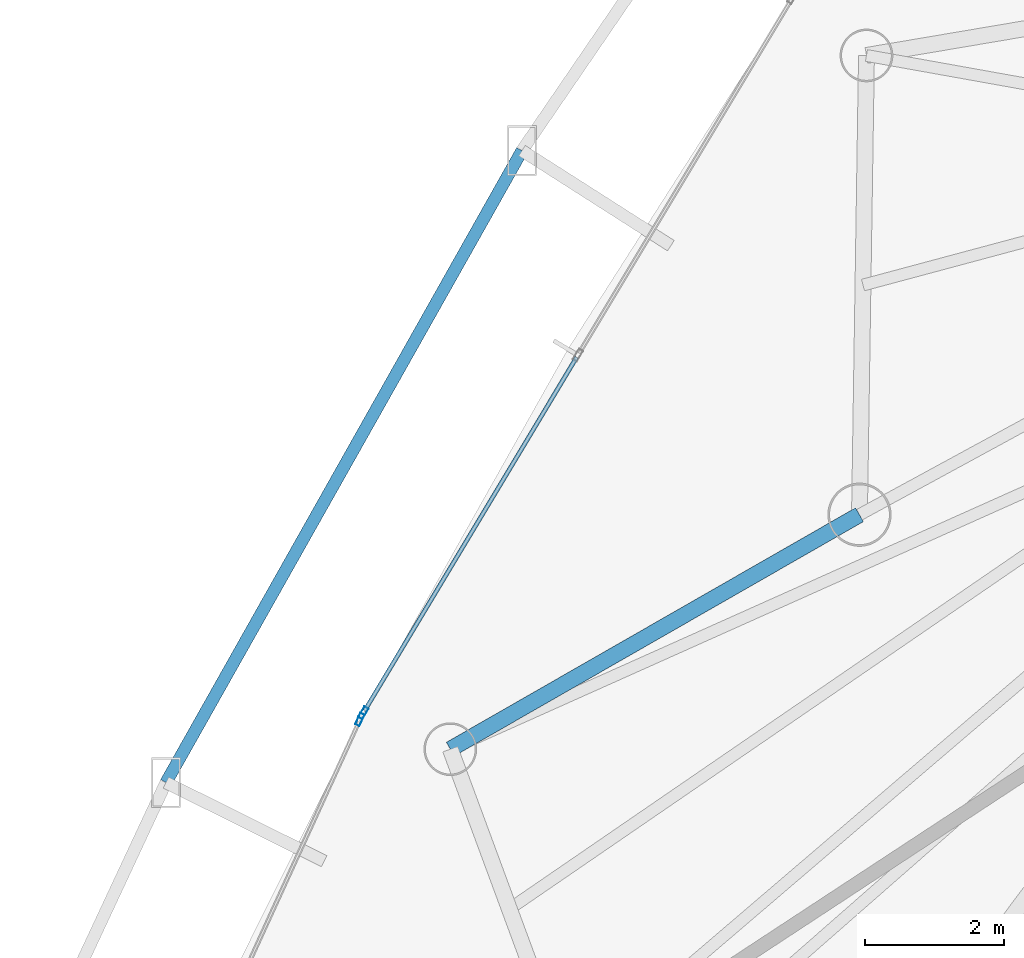
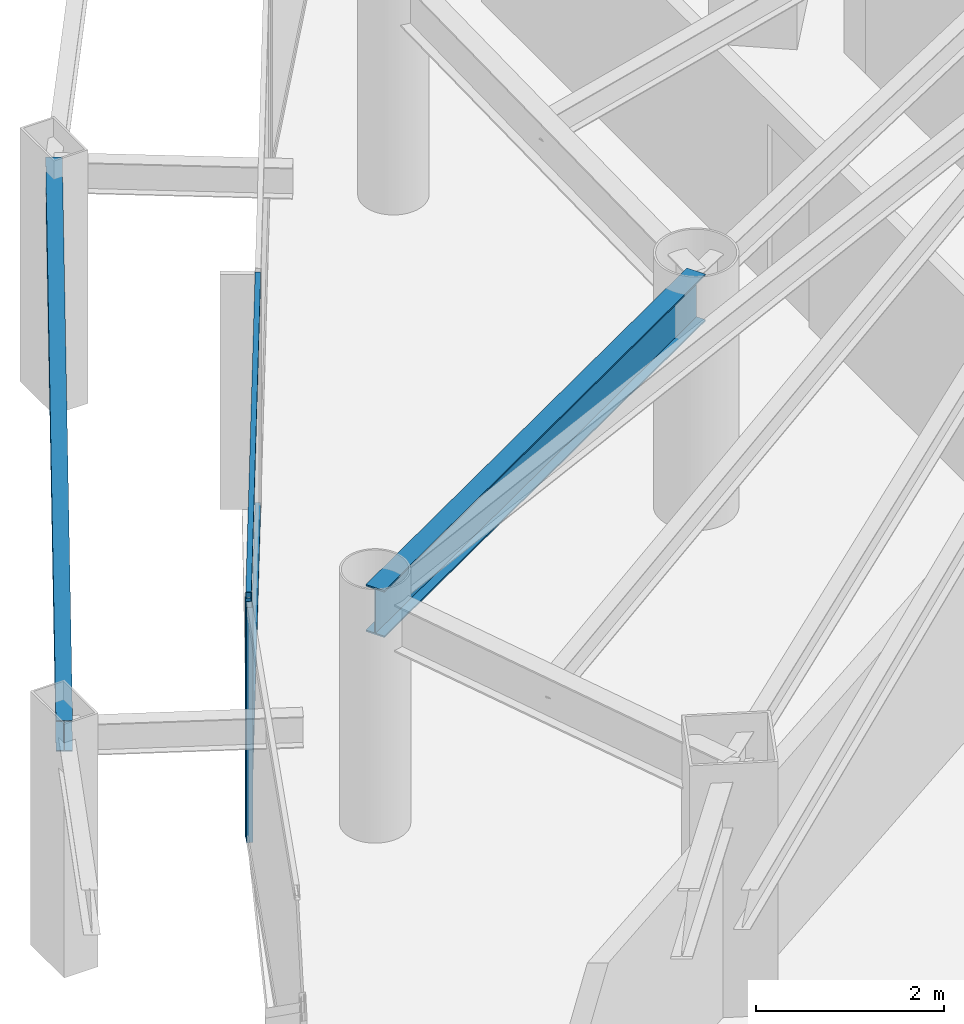
# One storey, part 10 of 33: 4 members, 2 beams, 2 elements without a shape of their own.
"""IFC4 building model written with IfcOpenShell, lengths in metres."""

import ifcopenshell
import ifcopenshell.guid

model = None  # the IFC model being written
_history = None  # IfcOwnerHistory: only IFC2X3 demands one
_inside = {}  # id of a spatial element -> (the spatial element, [elements in it])
_under = {}  # id of a project, library or spatial element -> (it, [spatial elements below it])
_declared = {}  # id of a project -> (the project, [libraries it declares])
_typed = {}  # id of a type object -> (the type object, [elements of that type])
_made_of = {}  # id of a material, layer set ... -> (it, [elements and type objects made of it])


def new_model(schema):
    """Start an empty IFC model of exactly this schema.

    Asked for "IFC4X3", IfcOpenShell would pick the latest addendum, in which some entities
    have other attributes; the version numbers below select the first issue.
    IFC2X3 requires an IfcOwnerHistory on every rooted entity: one is made here for all.
    """
    global model, _history
    if schema == "IFC4X3":
        model = ifcopenshell.file(schema_version=(4, 3, 0, 0))
    else:
        model = ifcopenshell.file(schema=schema)
    _inside.clear()
    _under.clear()
    _declared.clear()
    _typed.clear()
    _made_of.clear()
    _history = None
    if model.schema == "IFC2X3":
        org = make("IfcOrganization", Name="unknown")
        user = make(
            "IfcPersonAndOrganization",
            ThePerson=make("IfcPerson", FamilyName="unknown"),
            TheOrganization=org,
        )
        app = make(
            "IfcApplication",
            ApplicationDeveloper=org,
            Version="unknown",
            ApplicationFullName="unknown",
            ApplicationIdentifier="unknown",
        )
        _history = make(
            "IfcOwnerHistory",
            OwningUser=user,
            OwningApplication=app,
            ChangeAction="ADDED",
            CreationDate=0,
        )
    return model


def make(cls, **values):
    """One entity of the class cls with the attributes given. An attribute that is None is left unset."""
    return model.create_entity(
        cls, **{name: value for name, value in values.items() if value is not None}
    )


def rooted(cls, **values):
    """An entity with a GlobalId (a new one), such as an element, a storey or a relation."""
    return make(cls, GlobalId=ifcopenshell.guid.new(), OwnerHistory=_history, **values)


def si_unit(unit_type, name, prefix=None):
    """IfcSIUnit, for example si_unit("LENGTHUNIT", "METRE", prefix="MILLI")."""
    return make("IfcSIUnit", UnitType=unit_type, Prefix=prefix, Name=name)


def assignment(units):
    """IfcUnitAssignment: the units of a project."""
    return None if units is None else make("IfcUnitAssignment", Units=units)


def point(xyz):
    """IfcCartesianPoint."""
    return None if xyz is None else make("IfcCartesianPoint", Coordinates=xyz)


def direction(xyz):
    """IfcDirection."""
    return None if xyz is None else make("IfcDirection", DirectionRatios=xyz)


def frame(location, z_axis=None, x_axis=None):
    """IfcAxis2Placement3D, a coordinate frame: its origin and axes. An axis left out is left unset."""
    return make(
        "IfcAxis2Placement3D",
        Location=point(location),
        Axis=direction(z_axis),
        RefDirection=direction(x_axis),
    )


def frame_2d(location, x_axis=None):
    """IfcAxis2Placement2D, a coordinate frame in the plane: its origin and x axis."""
    return make(
        "IfcAxis2Placement2D", Location=point(location), RefDirection=direction(x_axis)
    )


def origin():
    """The frame at (0, 0, 0) with its axes left unset."""
    return frame((0.0, 0.0, 0.0))


def origin_2d():
    """The frame at (0, 0) in the plane with its x axis left unset."""
    return frame_2d((0.0, 0.0))


def place(relative_to, where):
    """IfcLocalPlacement: puts the frame where relative to a parent placement (None: the world)."""
    return make(
        "IfcLocalPlacement", PlacementRelTo=relative_to, RelativePlacement=where
    )


def context(
    kind, dimensions, precision=None, world=None, true_north=None, identifier=None
):
    """IfcGeometricRepresentationContext, for example the 3D "Model" context."""
    return make(
        "IfcGeometricRepresentationContext",
        ContextIdentifier=identifier,
        ContextType=kind,
        CoordinateSpaceDimension=dimensions,
        Precision=precision,
        WorldCoordinateSystem=world,
        TrueNorth=true_north,
    )


def subcontext(parent, identifier, kind, view, scale=None):
    """IfcGeometricRepresentationSubContext, for example "Body" below "Model"."""
    return make(
        "IfcGeometricRepresentationSubContext",
        ContextIdentifier=identifier,
        ContextType=kind,
        ParentContext=parent,
        TargetScale=scale,
        TargetView=view,
    )


def project(units=None, contexts=None):
    """IfcProject with its units and contexts."""
    return rooted(
        "IfcProject",
        Name="project",
        RepresentationContexts=contexts,
        UnitsInContext=assignment(units),
    )


def spatial(cls, under=None, at=None, **own):
    """A site, building, storey or space (cls), placed at a placement, below another one or the project."""
    s = rooted(cls, ObjectPlacement=at, **own)
    if under is not None:
        _under.setdefault(under.id(), (under, []))[1].append(s)
    return s


def profile(cls, at=None, kind="AREA", **sizes):
    """A parametric profile (cls). Its sizes go by their IFC names, for example OverallWidth=200.0."""
    return make(cls, ProfileType=kind, Position=at, **sizes)


def hollow_rectangle(**sizes):
    """IfcRectangleHollowProfileDef."""
    return profile("IfcRectangleHollowProfileDef", **sizes)


def i_section(**sizes):
    """IfcIShapeProfileDef."""
    return profile("IfcIShapeProfileDef", **sizes)


def extrude(swept, where, along, depth):
    """IfcExtrudedAreaSolid: the profile swept, set in the frame where, extruded along a direction by depth."""
    return make(
        "IfcExtrudedAreaSolid",
        SweptArea=swept,
        Position=where,
        ExtrudedDirection=direction(along),
        Depth=depth,
    )


def shape(context_of_items, identifier, shape_type, items):
    """IfcShapeRepresentation: the items that make up one representation, for example the "Body"."""
    return make(
        "IfcShapeRepresentation",
        ContextOfItems=context_of_items,
        RepresentationIdentifier=identifier,
        RepresentationType=shape_type,
        Items=items,
    )


def material(Name=None, Category=None):
    """IfcMaterial."""
    return make("IfcMaterial", Name=Name, Category=Category)


def layer(
    of_material, thickness, ventilated=None, Name=None, Category=None, Priority=None
):
    """IfcMaterialLayer: one layer of a wall or slab, of a material (None: an air gap)."""
    return make(
        "IfcMaterialLayer",
        Material=of_material,
        LayerThickness=thickness,
        IsVentilated=ventilated,
        Name=Name,
        Category=Category,
        Priority=Priority,
    )


def layer_set(layers, Name=None):
    """IfcMaterialLayerSet."""
    return make("IfcMaterialLayerSet", MaterialLayers=layers, LayerSetName=Name)


def material_profile(
    of_material, cross_section, Name=None, Category=None, Priority=None
):
    """IfcMaterialProfile: a cross section and its material."""
    return make(
        "IfcMaterialProfile",
        Name=Name,
        Material=of_material,
        Profile=cross_section,
        Priority=Priority,
        Category=Category,
    )


def profile_set(profiles, Name=None, composite=None):
    """IfcMaterialProfileSet."""
    return make(
        "IfcMaterialProfileSet",
        Name=Name,
        MaterialProfiles=profiles,
        CompositeProfile=composite,
    )


def made_of(thing, what):
    """Note that an element or type object is made of a material, layer set ...; save() writes the relation."""
    if what is not None:
        _made_of.setdefault(what.id(), (what, []))[1].append(thing)
    return thing


def type_object(cls, material=None, **own):
    """A type object (cls), such as IfcWallType, which elements share."""
    return made_of(rooted(cls, **own), material)


def element(
    cls,
    number,
    at=None,
    inside=None,
    cuts=None,
    type_object=None,
    material=None,
    context=None,
    identifier="Body",
    shape_type=None,
    held_by="IfcProductDefinitionShape",
    body=None,
    shapes=None,
    **own,
):
    """One element of the class cls, such as IfcWall. Its Tag is "e" and its number.

    at: its placement. inside: the storey or other place that contains it. cuts: it is an
    opening in that element (IfcRelVoidsElement). A single representation is given by context,
    identifier, shape_type and body (its items); several are given by shapes. held_by: the class
    of the entity that holds the representations. save() writes the other relations.
    """
    e = rooted(cls, Tag="e%d" % number, ObjectPlacement=at, **own)
    if body is not None:
        shapes = [shape(context, identifier, shape_type, body)]
    if shapes is not None:
        e.Representation = make(held_by, Representations=shapes)
    if inside is not None:
        _inside.setdefault(inside.id(), (inside, []))[1].append(e)
    if cuts is not None:
        rooted(
            "IfcRelVoidsElement", RelatingBuildingElement=cuts, RelatedOpeningElement=e
        )
    if type_object is not None:
        _typed.setdefault(type_object.id(), (type_object, []))[1].append(e)
    return made_of(e, material)


def aggregate(whole, parts):
    """IfcRelAggregates: a whole, such as a stair, and the parts it consists of."""
    return rooted("IfcRelAggregates", RelatingObject=whole, RelatedObjects=parts)


def save(model, path):
    """Write the relations noted so far, then the file.

    IfcRelAggregates (storeys below a building ...), IfcRelContainedInSpatialStructure (elements
    in a storey), IfcRelDefinesByType, IfcRelAssociatesMaterial and IfcRelDeclares: one each for
    every whole, place, type object, material and project.
    """
    for whole, parts in _under.values():
        aggregate(whole, parts)
    for where, things in _inside.values():
        rooted(
            "IfcRelContainedInSpatialStructure",
            RelatedElements=things,
            RelatingStructure=where,
        )
    for kind, things in _typed.values():
        rooted("IfcRelDefinesByType", RelatedObjects=things, RelatingType=kind)
    for what, things in _made_of.values():
        rooted("IfcRelAssociatesMaterial", RelatedObjects=things, RelatingMaterial=what)
    for by, libraries in _declared.values():
        rooted("IfcRelDeclares", RelatingContext=by, RelatedDefinitions=libraries)
    model.write(path)


model = new_model("IFC4")

# Units and contexts
model_context = context("Model", 3, precision=1e-05, world=origin(), true_north=direction((0.0, 1.0)))
body_context = subcontext(model_context, "Body", "Model", "MODEL_VIEW")
ifc_project = project(units=[si_unit("LENGTHUNIT", "METRE"), si_unit("AREAUNIT", "SQUARE_METRE"), si_unit("VOLUMEUNIT", "CUBIC_METRE"), si_unit("PLANEANGLEUNIT", "RADIAN"), si_unit("MASSUNIT", "GRAM", prefix="KILO")], contexts=[model_context])

# Site, building, storey
site_placement = place(None, origin())
site = spatial("IfcSite", under=ifc_project, at=site_placement, CompositionType="ELEMENT")
building_placement = place(site_placement, origin())
building = spatial("IfcBuilding", under=site, at=building_placement, Name="Orvanel Arch Residences", CompositionType="ELEMENT")
storey_placement = place(building_placement, frame((0.0, 0.0, 84.050048828125)))
storey = spatial("IfcBuildingStorey", under=building, at=storey_placement, Name="L23", CompositionType="ELEMENT", Elevation=84.050048828125)

# Curtain wall, member
ifc_material_1 = material(Name="Bronze-anodised aluminium AA6063-T6", Category="aluminium")
ifc_layer = layer(ifc_material_1, 0.179931640625)
ifc_layer_set = layer_set([ifc_layer], Name="Bronze-anodised aluminium AA6063-T6")
curtain_wall_type = type_object("IfcCurtainWallType", Name="CW2-LOW-SYS", PredefinedType="NOTDEFINED", material=ifc_layer_set)
curtain_wall_1_placement = place(storey_placement, origin())
curtain_wall_1 = element("IfcCurtainWall", 1, at=curtain_wall_1_placement, inside=storey, type_object=curtain_wall_type, Name="L23 CW2-LOW-SYS Unitised Curtain Wall", PredefinedType="NOTDEFINED")
ifc_material_profile_1 = material_profile(ifc_material_1, hollow_rectangle(XDim=0.070068359375, YDim=0.179931640625, WallThickness=0.00439453125, at=origin_2d()), Name="ALU180x70x4.5")
ifc_profile_set_1 = profile_set([ifc_material_profile_1], Name="Bronze-anodised aluminium AA6063-T6")
member_type_1 = type_object("IfcMemberType", Name="MUL-180x70", PredefinedType="MULLION", material=ifc_profile_set_1)
member_1_placement = place(storey_placement, frame((13.406982421875, 24.781005859375, 0.0), z_axis=(0.0, 0.0, 1.0), x_axis=(0.857536630134, -0.514422907712, 0.0)))
member_1 = element("IfcMember", 2, at=member_1_placement, type_object=member_type_1, Name="CW-S2 mullion 3", PredefinedType="MULLION", context=body_context, shape_type="SweptSolid", body=[
    extrude(hollow_rectangle(XDim=0.070068359375, YDim=0.179931640625, WallThickness=0.00439453125, at=origin_2d()), origin(), (0.0, 0.0, 1.0), 3.06005859375),
])

curtain_wall_2_placement = place(storey_placement, origin())
curtain_wall_2 = element("IfcCurtainWall", 3, at=curtain_wall_2_placement, inside=storey, type_object=curtain_wall_type, Name="L23 CW2-LOW-SYS Unitised Curtain Wall", PredefinedType="NOTDEFINED")
member_2_placement = place(storey_placement, frame((13.3564453125, 24.68408203125, 0.0), z_axis=(0.0, 0.0, 1.0), x_axis=(0.90969922077, -0.415267778343, 0.0)))
member_2 = element("IfcMember", 4, at=member_2_placement, type_object=member_type_1, Name="CW-S2 mullion 1", PredefinedType="MULLION", context=body_context, shape_type="SweptSolid", body=[
    extrude(hollow_rectangle(XDim=0.070068359375, YDim=0.179931640625, WallThickness=0.00439453125, at=origin_2d()), origin(), (0.0, 0.0, 1.0), 3.06005859375),
])
aggregate(curtain_wall_2, [member_2])

# Beams
ifc_material_2 = material(Name="Structural steel AS/NZS 3679.1 Grade 300 (300 MPa)", Category="steel")
ifc_material_profile_2 = material_profile(ifc_material_2, i_section(OverallWidth=0.177978515625, OverallDepth=0.406005859375, WebThickness=0.0078125, FlangeThickness=0.0126953125, at=origin_2d()), Name="410UB59.7")
ifc_profile_set_2 = profile_set([ifc_material_profile_2], Name="Structural steel AS/NZS 3679.1 Grade 300 (300 MPa)")
beam_type_1 = type_object("IfcBeamType", Name="OB-410UB-EXT", PredefinedType="SPANDREL", material=ifc_profile_set_2)
beam_1_placement = place(storey_placement, frame((15.697021484375, 32.89697265625, 2.85693359375), z_axis=(-0.490872149716, -0.871231618247, 0.0), x_axis=(0.871231618247, -0.490872149716, 0.0)))
element("IfcBeam", 5, at=beam_1_placement, inside=storey, type_object=beam_type_1, Name="L23 Outer Perimeter Floor Ring Beam 02", PredefinedType="SPANDREL", context=body_context, shape_type="SweptSolid", body=[
    extrude(i_section(OverallWidth=0.177978515625, OverallDepth=0.406005859375, WebThickness=0.0078125, FlangeThickness=0.0126953125, at=origin_2d()), origin(), (0.0, 0.0, 1.0), 10.471435546875),
])
ifc_material_profile_3 = material_profile(ifc_material_2, i_section(OverallWidth=0.22900390625, OverallDepth=0.612060546875, WebThickness=0.011962890625, FlangeThickness=0.01953125, at=origin_2d()), Name="610UB125")
ifc_profile_set_3 = profile_set([ifc_material_profile_3], Name="Structural steel AS/NZS 3679.1 Grade 300 (300 MPa)")
beam_type_2 = type_object("IfcBeamType", Name="SP-610UB", PredefinedType="SPANDREL", material=ifc_profile_set_3)
beam_2_placement = place(storey_placement, frame((20.569091796875, 27.64111328125, 2.75390625), z_axis=(-0.867635629025, -0.497200578485, 0.0), x_axis=(0.497200578485, -0.867635629025, 0.0)))
element("IfcBeam", 6, at=beam_2_placement, inside=storey, type_object=beam_type_2, Name="L23 Perimeter Spandrel Beam 21", PredefinedType="SPANDREL", context=body_context, shape_type="SweptSolid", body=[
    extrude(i_section(OverallWidth=0.22900390625, OverallDepth=0.612060546875, WebThickness=0.011962890625, FlangeThickness=0.01953125, at=origin_2d()), origin(), (0.0, 0.0, 1.0), 6.80810546875),
])

# Member
ifc_material_profile_4 = material_profile(ifc_material_1, hollow_rectangle(XDim=0.06005859375, YDim=0.135009765625, WallThickness=0.00390625, at=origin_2d()), Name="ALU135x60x4")
ifc_profile_set_4 = profile_set([ifc_material_profile_4], Name="Bronze-anodised aluminium AA6063-T6")
member_type_2 = type_object("IfcMemberType", Name="TRN-135x60", PredefinedType="USERDEFINED", material=ifc_profile_set_4)
member_3_placement = place(storey_placement, frame((16.486572265625, 29.91455078125, 0.030029296875), z_axis=(-0.514423360777, -0.857536358347, 0.0), x_axis=(0.857536358347, -0.514423360777, 0.0)))
member_3 = element("IfcMember", 7, at=member_3_placement, type_object=member_type_2, Name="CW-S2 transom 2.1", ObjectType="TRANSOM", PredefinedType="USERDEFINED", context=body_context, shape_type="SweptSolid", body=[
    extrude(hollow_rectangle(XDim=0.06005859375, YDim=0.135009765625, WallThickness=0.00390625, at=origin_2d()), origin(), (0.0, 0.0, 1.0), 5.951416015625),
])

member_4_placement = place(storey_placement, frame((16.486572265625, 29.91455078125, 3.030029296875), z_axis=(-0.514423360777, -0.857536358347, 0.0), x_axis=(0.857536358347, -0.514423360777, 0.0)))
member_4 = element("IfcMember", 8, at=member_4_placement, type_object=member_type_2, Name="CW-S2 transom 2.2", ObjectType="TRANSOM", PredefinedType="USERDEFINED", context=body_context, shape_type="SweptSolid", body=[
    extrude(hollow_rectangle(XDim=0.06005859375, YDim=0.135009765625, WallThickness=0.00390625, at=origin_2d()), origin(), (0.0, 0.0, 1.0), 5.951416015625),
])

aggregate(curtain_wall_1, [member_1, member_3, member_4])

save(model, "model.ifc")
